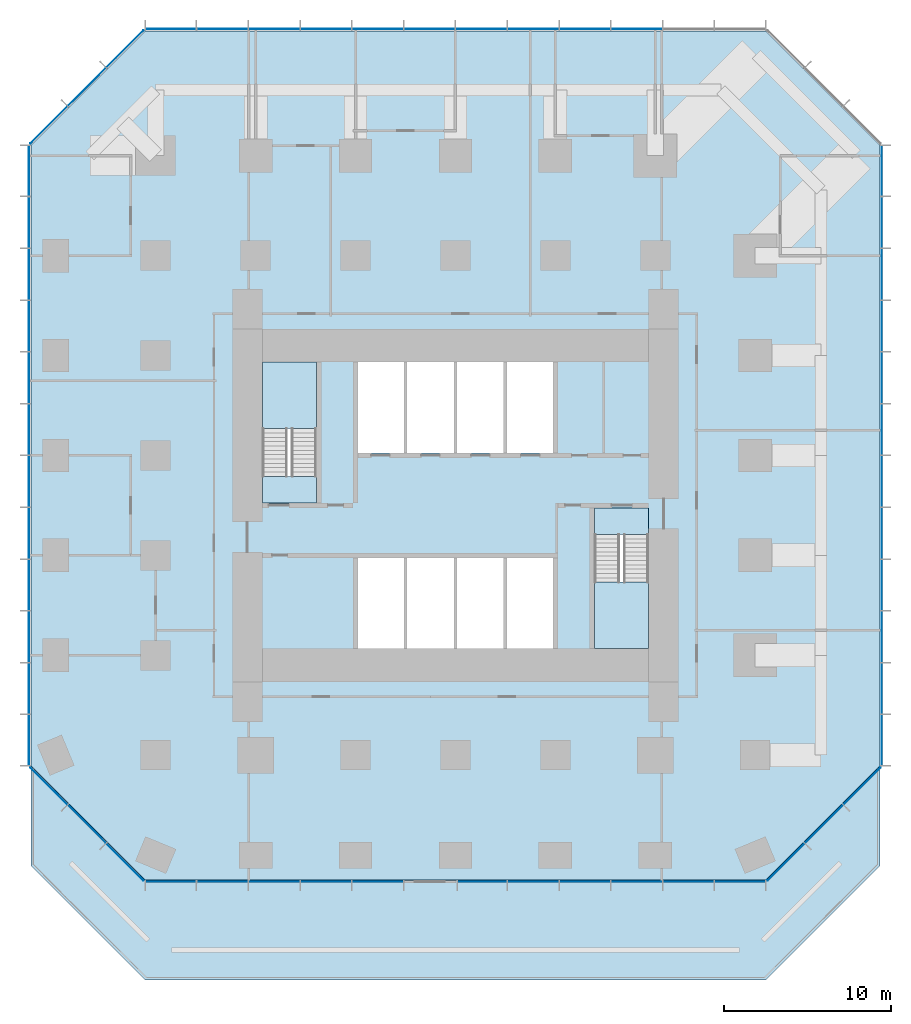
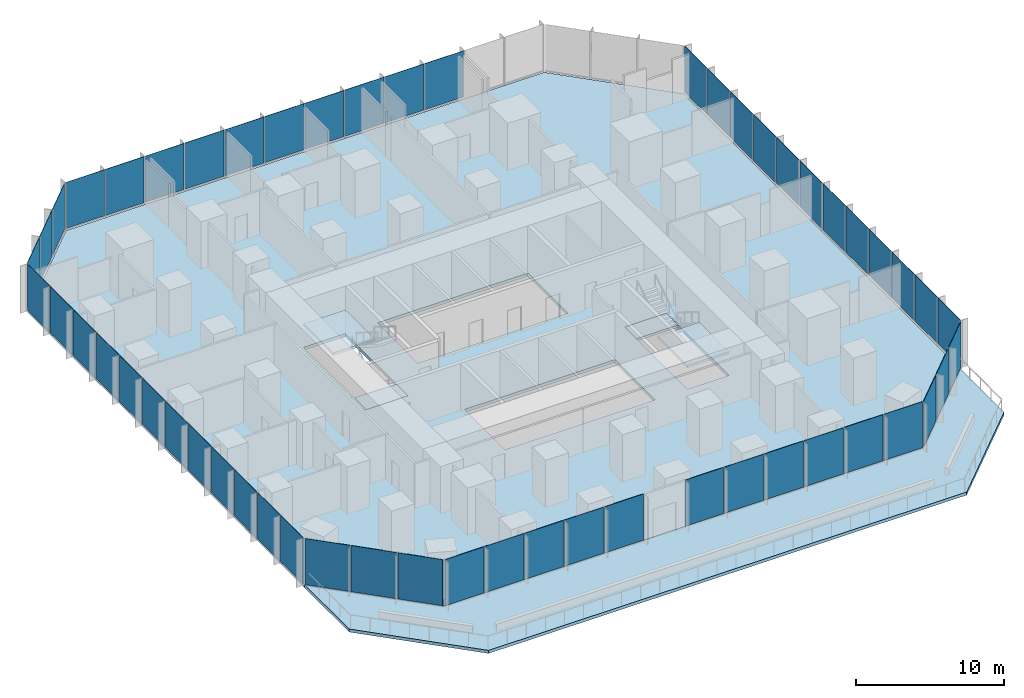
# One storey, part 7 of 12: 54 plates, 6 slabs, 10 elements without a shape of their own.
"""IFC4 building model written with IfcOpenShell, lengths in metres."""

from ifc_helpers import new_model, si_unit, direction, frame, origin, origin_2d, place, context, subcontext, project, spatial, polyline, rectangle, outline, extrude, material, layer, layer_set, type_object, element, aggregate, save


model = new_model("IFC4")

# Units and contexts
model_context = context("Model", 3, precision=1e-05, world=origin(), true_north=direction((0.0, 1.0)))
body_context = subcontext(model_context, "Body", "Model", "MODEL_VIEW")
ifc_project = project(units=[si_unit("LENGTHUNIT", "METRE"), si_unit("AREAUNIT", "SQUARE_METRE"), si_unit("VOLUMEUNIT", "CUBIC_METRE"), si_unit("PLANEANGLEUNIT", "RADIAN"), si_unit("MASSUNIT", "GRAM", prefix="KILO")], contexts=[model_context])

# Site, building, storey
site_placement = place(None, origin())
site = spatial("IfcSite", under=ifc_project, at=site_placement, CompositionType="ELEMENT")
building_placement = place(site_placement, origin())
building = spatial("IfcBuilding", under=site, at=building_placement, Name="Highveld Stack Headquarters", CompositionType="ELEMENT")
storey_placement = place(building_placement, frame((0.0, 0.0, 65.0)))
storey = spatial("IfcBuildingStorey", under=building, at=storey_placement, Name="L15", CompositionType="ELEMENT", Elevation=65.0)

# Curtain wall, plates
ifc_material_1 = material(Name="Aluminium bronze anodised", Category="aluminium")
ifc_layer_1 = layer(ifc_material_1, 0.199951171875)
ifc_layer_set_1 = layer_set([ifc_layer_1], Name="Aluminium bronze anodised")
curtain_wall_type_1 = type_object("IfcCurtainWallType", Name="CW1 TOWER UNITISED CURTAIN WALL", PredefinedType="NOTDEFINED", material=ifc_layer_set_1)
curtain_wall_1_placement = place(storey_placement, origin())
curtain_wall_1 = element("IfcCurtainWall", 1, at=curtain_wall_1_placement, inside=storey, type_object=curtain_wall_type_1, Name="Curtain wall CW1 L15 S-1", PredefinedType="NOTDEFINED")
ifc_material_2 = material(Name="Glass bronze tinted double glazed unit", Category="glass")
ifc_layer_2 = layer(ifc_material_2, 0.028076171875)
ifc_layer_set_2 = layer_set([ifc_layer_2], Name="Glass bronze tinted double glazed unit")
plate_type_1 = type_object("IfcPlateType", Name="CW1 PANEL BRONZE TINTED DOUBLE GLAZED UNIT", PredefinedType="CURTAIN_PANEL", material=ifc_layer_set_2)
plate_1_placement = place(storey_placement, frame((-11.09130859375, -19.60009765625, 0.10009765625), z_axis=(0.0, 0.0, 1.0), x_axis=(1.0, 0.0, 0.0)))
plate_1 = element("IfcPlate", 2, at=plate_1_placement, type_object=plate_type_1, Name="CW1 panel L15 1.1", PredefinedType="CURTAIN_PANEL", context=body_context, shape_type="SweptSolid", body=[
    extrude(rectangle(XDim=3.012939453125, YDim=0.028076171875, at=origin_2d()), origin(), (0.0, 0.0, 1.0), 3.800048828125),
])
plate_2_placement = place(storey_placement, frame((-7.9970703125, -19.60009765625, 0.10009765625), z_axis=(0.0, 0.0, 1.0), x_axis=(1.0, 0.0, 0.0)))
plate_2 = element("IfcPlate", 3, at=plate_2_placement, type_object=plate_type_1, Name="CW1 panel L15 2.1", PredefinedType="CURTAIN_PANEL", context=body_context, shape_type="SweptSolid", body=[
    extrude(rectangle(XDim=3.04541015625, YDim=0.028076171875, at=origin_2d()), origin(), (0.0, 0.0, 1.0), 3.800048828125),
])
plate_3_placement = place(storey_placement, frame((-4.88671875, -19.60009765625, 0.10009765625), z_axis=(0.0, 0.0, 1.0), x_axis=(1.0, 0.0, 0.0)))
plate_3 = element("IfcPlate", 4, at=plate_3_placement, type_object=plate_type_1, Name="CW1 panel L15 3.1", PredefinedType="CURTAIN_PANEL", context=body_context, shape_type="SweptSolid", body=[
    extrude(rectangle(XDim=3.04541015625, YDim=0.028076171875, at=origin_2d()), origin(), (0.0, 0.0, 1.0), 3.800048828125),
])
plate_4_placement = place(storey_placement, frame((-1.776123046875, -19.60009765625, 0.10009765625), z_axis=(0.0, 0.0, 1.0), x_axis=(1.0, 0.0, 0.0)))
plate_4 = element("IfcPlate", 5, at=plate_4_placement, type_object=plate_type_1, Name="CW1 panel L15 4.1", PredefinedType="CURTAIN_PANEL", context=body_context, shape_type="SweptSolid", body=[
    extrude(rectangle(XDim=3.04541015625, YDim=0.028076171875, at=origin_2d()), origin(), (0.0, 0.0, 1.0), 3.800048828125),
])
plate_5_placement = place(storey_placement, frame((1.334228515625, -19.60009765625, 0.10009765625), z_axis=(0.0, 0.0, 1.0), x_axis=(1.0, 0.0, 0.0)))
plate_5 = element("IfcPlate", 6, at=plate_5_placement, type_object=plate_type_1, Name="CW1 panel L15 5.1", PredefinedType="CURTAIN_PANEL", context=body_context, shape_type="SweptSolid", body=[
    extrude(rectangle(XDim=3.04541015625, YDim=0.028076171875, at=origin_2d()), origin(), (0.0, 0.0, 1.0), 3.800048828125),
])
aggregate(curtain_wall_1, [plate_1, plate_2, plate_3, plate_4, plate_5])

curtain_wall_2_placement = place(storey_placement, origin())
curtain_wall_2 = element("IfcCurtainWall", 7, at=curtain_wall_2_placement, inside=storey, type_object=curtain_wall_type_1, Name="Curtain wall CW1 L15 S-2", PredefinedType="NOTDEFINED")
plate_6_placement = place(storey_placement, frame((7.60888671875, -19.60009765625, 0.10009765625), z_axis=(0.0, 0.0, 1.0), x_axis=(1.0, 0.0, 0.0)))
plate_6 = element("IfcPlate", 8, at=plate_6_placement, type_object=plate_type_1, Name="CW1 panel L15 7.1", PredefinedType="CURTAIN_PANEL", context=body_context, shape_type="SweptSolid", body=[
    extrude(rectangle(XDim=2.93798828125, YDim=0.028076171875, at=origin_2d()), origin(), (0.0, 0.0, 1.0), 3.800048828125),
])
plate_7_placement = place(storey_placement, frame((10.665771484375, -19.60009765625, 0.10009765625), z_axis=(0.0, 0.0, 1.0), x_axis=(1.0, 0.0, 0.0)))
plate_7 = element("IfcPlate", 9, at=plate_7_placement, type_object=plate_type_1, Name="CW1 panel L15 8.1", PredefinedType="CURTAIN_PANEL", context=body_context, shape_type="SweptSolid", body=[
    extrude(rectangle(XDim=3.04541015625, YDim=0.028076171875, at=origin_2d()), origin(), (0.0, 0.0, 1.0), 3.800048828125),
])
plate_8_placement = place(storey_placement, frame((13.776123046875, -19.60009765625, 0.10009765625), z_axis=(0.0, 0.0, 1.0), x_axis=(1.0, 0.0, 0.0)))
plate_8 = element("IfcPlate", 10, at=plate_8_placement, type_object=plate_type_1, Name="CW1 panel L15 9.1", PredefinedType="CURTAIN_PANEL", context=body_context, shape_type="SweptSolid", body=[
    extrude(rectangle(XDim=3.04541015625, YDim=0.028076171875, at=origin_2d()), origin(), (0.0, 0.0, 1.0), 3.800048828125),
])
plate_9_placement = place(storey_placement, frame((16.88671875, -19.60009765625, 0.10009765625), z_axis=(0.0, 0.0, 1.0), x_axis=(1.0, 0.0, 0.0)))
plate_9 = element("IfcPlate", 11, at=plate_9_placement, type_object=plate_type_1, Name="CW1 panel L15 10.1", PredefinedType="CURTAIN_PANEL", context=body_context, shape_type="SweptSolid", body=[
    extrude(rectangle(XDim=3.04541015625, YDim=0.028076171875, at=origin_2d()), origin(), (0.0, 0.0, 1.0), 3.800048828125),
])
plate_10_placement = place(storey_placement, frame((19.9970703125, -19.60009765625, 0.10009765625), z_axis=(0.0, 0.0, 1.0), x_axis=(1.0, 0.0, 0.0)))
plate_10 = element("IfcPlate", 12, at=plate_10_placement, type_object=plate_type_1, Name="CW1 panel L15 11.1", PredefinedType="CURTAIN_PANEL", context=body_context, shape_type="SweptSolid", body=[
    extrude(rectangle(XDim=3.04541015625, YDim=0.028076171875, at=origin_2d()), origin(), (0.0, 0.0, 1.0), 3.800048828125),
])
plate_11_placement = place(storey_placement, frame((23.09130859375, -19.60009765625, 0.10009765625), z_axis=(0.0, 0.0, 1.0), x_axis=(1.0, 0.0, 0.0)))
plate_11 = element("IfcPlate", 13, at=plate_11_placement, type_object=plate_type_1, Name="CW1 panel L15 12.1", PredefinedType="CURTAIN_PANEL", context=body_context, shape_type="SweptSolid", body=[
    extrude(rectangle(XDim=3.012939453125, YDim=0.028076171875, at=origin_2d()), origin(), (0.0, 0.0, 1.0), 3.800048828125),
])
aggregate(curtain_wall_2, [plate_6, plate_7, plate_8, plate_9, plate_10, plate_11])

curtain_wall_3_placement = place(storey_placement, origin())
curtain_wall_3 = element("IfcCurtainWall", 14, at=curtain_wall_3_placement, inside=storey, type_object=curtain_wall_type_1, Name="Curtain wall CW1 L15 E", PredefinedType="NOTDEFINED")
plate_12_placement = place(storey_placement, frame((31.60009765625, -11.09130859375, 0.10009765625), z_axis=(0.0, 0.0, 1.0), x_axis=(0.0, 1.0, 0.0)))
plate_12 = element("IfcPlate", 15, at=plate_12_placement, type_object=plate_type_1, Name="CW1 panel L15 1.1", PredefinedType="CURTAIN_PANEL", context=body_context, shape_type="SweptSolid", body=[
    extrude(rectangle(XDim=3.012939453125, YDim=0.028076171875, at=origin_2d()), origin(), (0.0, 0.0, 1.0), 3.800048828125),
])
plate_13_placement = place(storey_placement, frame((31.60009765625, -7.9970703125, 0.10009765625), z_axis=(0.0, 0.0, 1.0), x_axis=(0.0, 1.0, 0.0)))
plate_13 = element("IfcPlate", 16, at=plate_13_placement, type_object=plate_type_1, Name="CW1 panel L15 2.1", PredefinedType="CURTAIN_PANEL", context=body_context, shape_type="SweptSolid", body=[
    extrude(rectangle(XDim=3.04541015625, YDim=0.028076171875, at=origin_2d()), origin(), (0.0, 0.0, 1.0), 3.800048828125),
])
plate_14_placement = place(storey_placement, frame((31.60009765625, -4.88671875, 0.10009765625), z_axis=(0.0, 0.0, 1.0), x_axis=(0.0, 1.0, 0.0)))
plate_14 = element("IfcPlate", 17, at=plate_14_placement, type_object=plate_type_1, Name="CW1 panel L15 3.1", PredefinedType="CURTAIN_PANEL", context=body_context, shape_type="SweptSolid", body=[
    extrude(rectangle(XDim=3.04541015625, YDim=0.028076171875, at=origin_2d()), origin(), (0.0, 0.0, 1.0), 3.800048828125),
])
plate_15_placement = place(storey_placement, frame((31.60009765625, -1.776123046875, 0.10009765625), z_axis=(0.0, 0.0, 1.0), x_axis=(0.0, 1.0, 0.0)))
plate_15 = element("IfcPlate", 18, at=plate_15_placement, type_object=plate_type_1, Name="CW1 panel L15 4.1", PredefinedType="CURTAIN_PANEL", context=body_context, shape_type="SweptSolid", body=[
    extrude(rectangle(XDim=3.04541015625, YDim=0.028076171875, at=origin_2d()), origin(), (0.0, 0.0, 1.0), 3.800048828125),
])
plate_16_placement = place(storey_placement, frame((31.60009765625, 1.334228515625, 0.10009765625), z_axis=(0.0, 0.0, 1.0), x_axis=(0.0, 1.0, 0.0)))
plate_16 = element("IfcPlate", 19, at=plate_16_placement, type_object=plate_type_1, Name="CW1 panel L15 5.1", PredefinedType="CURTAIN_PANEL", context=body_context, shape_type="SweptSolid", body=[
    extrude(rectangle(XDim=3.04541015625, YDim=0.028076171875, at=origin_2d()), origin(), (0.0, 0.0, 1.0), 3.800048828125),
])
plate_17_placement = place(storey_placement, frame((31.60009765625, 4.44482421875, 0.10009765625), z_axis=(0.0, 0.0, 1.0), x_axis=(0.0, 1.0, 0.0)))
plate_17 = element("IfcPlate", 20, at=plate_17_placement, type_object=plate_type_1, Name="CW1 panel L15 6.1", PredefinedType="CURTAIN_PANEL", context=body_context, shape_type="SweptSolid", body=[
    extrude(rectangle(XDim=3.04541015625, YDim=0.028076171875, at=origin_2d()), origin(), (0.0, 0.0, 1.0), 3.800048828125),
])
plate_18_placement = place(storey_placement, frame((31.60009765625, 7.55517578125, 0.10009765625), z_axis=(0.0, 0.0, 1.0), x_axis=(0.0, 1.0, 0.0)))
plate_18 = element("IfcPlate", 21, at=plate_18_placement, type_object=plate_type_1, Name="CW1 panel L15 7.1", PredefinedType="CURTAIN_PANEL", context=body_context, shape_type="SweptSolid", body=[
    extrude(rectangle(XDim=3.04541015625, YDim=0.028076171875, at=origin_2d()), origin(), (0.0, 0.0, 1.0), 3.800048828125),
])
plate_19_placement = place(storey_placement, frame((31.60009765625, 10.665771484375, 0.10009765625), z_axis=(0.0, 0.0, 1.0), x_axis=(0.0, 1.0, 0.0)))
plate_19 = element("IfcPlate", 22, at=plate_19_placement, type_object=plate_type_1, Name="CW1 panel L15 8.1", PredefinedType="CURTAIN_PANEL", context=body_context, shape_type="SweptSolid", body=[
    extrude(rectangle(XDim=3.04541015625, YDim=0.028076171875, at=origin_2d()), origin(), (0.0, 0.0, 1.0), 3.800048828125),
])
plate_20_placement = place(storey_placement, frame((31.60009765625, 13.776123046875, 0.10009765625), z_axis=(0.0, 0.0, 1.0), x_axis=(0.0, 1.0, 0.0)))
plate_20 = element("IfcPlate", 23, at=plate_20_placement, type_object=plate_type_1, Name="CW1 panel L15 9.1", PredefinedType="CURTAIN_PANEL", context=body_context, shape_type="SweptSolid", body=[
    extrude(rectangle(XDim=3.04541015625, YDim=0.028076171875, at=origin_2d()), origin(), (0.0, 0.0, 1.0), 3.800048828125),
])
plate_21_placement = place(storey_placement, frame((31.60009765625, 16.88671875, 0.10009765625), z_axis=(0.0, 0.0, 1.0), x_axis=(0.0, 1.0, 0.0)))
plate_21 = element("IfcPlate", 24, at=plate_21_placement, type_object=plate_type_1, Name="CW1 panel L15 10.1", PredefinedType="CURTAIN_PANEL", context=body_context, shape_type="SweptSolid", body=[
    extrude(rectangle(XDim=3.04541015625, YDim=0.028076171875, at=origin_2d()), origin(), (0.0, 0.0, 1.0), 3.800048828125),
])
plate_22_placement = place(storey_placement, frame((31.60009765625, 19.9970703125, 0.10009765625), z_axis=(0.0, 0.0, 1.0), x_axis=(0.0, 1.0, 0.0)))
plate_22 = element("IfcPlate", 25, at=plate_22_placement, type_object=plate_type_1, Name="CW1 panel L15 11.1", PredefinedType="CURTAIN_PANEL", context=body_context, shape_type="SweptSolid", body=[
    extrude(rectangle(XDim=3.04541015625, YDim=0.028076171875, at=origin_2d()), origin(), (0.0, 0.0, 1.0), 3.800048828125),
])
plate_23_placement = place(storey_placement, frame((31.60009765625, 23.09130859375, 0.10009765625), z_axis=(0.0, 0.0, 1.0), x_axis=(0.0, 1.0, 0.0)))
plate_23 = element("IfcPlate", 26, at=plate_23_placement, type_object=plate_type_1, Name="CW1 panel L15 12.1", PredefinedType="CURTAIN_PANEL", context=body_context, shape_type="SweptSolid", body=[
    extrude(rectangle(XDim=3.012939453125, YDim=0.028076171875, at=origin_2d()), origin(), (0.0, 0.0, 1.0), 3.800048828125),
])
aggregate(curtain_wall_3, [plate_12, plate_13, plate_14, plate_15, plate_16, plate_17, plate_18, plate_19, plate_20, plate_21, plate_22, plate_23])

curtain_wall_4_placement = place(storey_placement, origin())
curtain_wall_4 = element("IfcCurtainWall", 27, at=curtain_wall_4_placement, inside=storey, type_object=curtain_wall_type_1, Name="Curtain wall CW1 L15 N", PredefinedType="NOTDEFINED")
plate_24_placement = place(storey_placement, frame((16.88671875, 31.60009765625, 0.10009765625), z_axis=(0.0, 0.0, 1.0), x_axis=(-1.0, 0.0, 0.0)))
plate_24 = element("IfcPlate", 28, at=plate_24_placement, type_object=plate_type_1, Name="CW1 panel L15 3.1", PredefinedType="CURTAIN_PANEL", context=body_context, shape_type="SweptSolid", body=[
    extrude(rectangle(XDim=3.04541015625, YDim=0.028076171875, at=origin_2d()), origin(), (0.0, 0.0, 1.0), 3.800048828125),
])
plate_25_placement = place(storey_placement, frame((13.776123046875, 31.60009765625, 0.10009765625), z_axis=(0.0, 0.0, 1.0), x_axis=(-1.0, 0.0, 0.0)))
plate_25 = element("IfcPlate", 29, at=plate_25_placement, type_object=plate_type_1, Name="CW1 panel L15 4.1", PredefinedType="CURTAIN_PANEL", context=body_context, shape_type="SweptSolid", body=[
    extrude(rectangle(XDim=3.04541015625, YDim=0.028076171875, at=origin_2d()), origin(), (0.0, 0.0, 1.0), 3.800048828125),
])
plate_26_placement = place(storey_placement, frame((10.665771484375, 31.60009765625, 0.10009765625), z_axis=(0.0, 0.0, 1.0), x_axis=(-1.0, 0.0, 0.0)))
plate_26 = element("IfcPlate", 30, at=plate_26_placement, type_object=plate_type_1, Name="CW1 panel L15 5.1", PredefinedType="CURTAIN_PANEL", context=body_context, shape_type="SweptSolid", body=[
    extrude(rectangle(XDim=3.04541015625, YDim=0.028076171875, at=origin_2d()), origin(), (0.0, 0.0, 1.0), 3.800048828125),
])
plate_27_placement = place(storey_placement, frame((7.55517578125, 31.60009765625, 0.10009765625), z_axis=(0.0, 0.0, 1.0), x_axis=(-1.0, 0.0, 0.0)))
plate_27 = element("IfcPlate", 31, at=plate_27_placement, type_object=plate_type_1, Name="CW1 panel L15 6.1", PredefinedType="CURTAIN_PANEL", context=body_context, shape_type="SweptSolid", body=[
    extrude(rectangle(XDim=3.04541015625, YDim=0.028076171875, at=origin_2d()), origin(), (0.0, 0.0, 1.0), 3.800048828125),
])
plate_28_placement = place(storey_placement, frame((4.44482421875, 31.60009765625, 0.10009765625), z_axis=(0.0, 0.0, 1.0), x_axis=(-1.0, 0.0, 0.0)))
plate_28 = element("IfcPlate", 32, at=plate_28_placement, type_object=plate_type_1, Name="CW1 panel L15 7.1", PredefinedType="CURTAIN_PANEL", context=body_context, shape_type="SweptSolid", body=[
    extrude(rectangle(XDim=3.04541015625, YDim=0.028076171875, at=origin_2d()), origin(), (0.0, 0.0, 1.0), 3.800048828125),
])
plate_29_placement = place(storey_placement, frame((1.334228515625, 31.60009765625, 0.10009765625), z_axis=(0.0, 0.0, 1.0), x_axis=(-1.0, 0.0, 0.0)))
plate_29 = element("IfcPlate", 33, at=plate_29_placement, type_object=plate_type_1, Name="CW1 panel L15 8.1", PredefinedType="CURTAIN_PANEL", context=body_context, shape_type="SweptSolid", body=[
    extrude(rectangle(XDim=3.04541015625, YDim=0.028076171875, at=origin_2d()), origin(), (0.0, 0.0, 1.0), 3.800048828125),
])
plate_30_placement = place(storey_placement, frame((-1.776123046875, 31.60009765625, 0.10009765625), z_axis=(0.0, 0.0, 1.0), x_axis=(-1.0, 0.0, 0.0)))
plate_30 = element("IfcPlate", 34, at=plate_30_placement, type_object=plate_type_1, Name="CW1 panel L15 9.1", PredefinedType="CURTAIN_PANEL", context=body_context, shape_type="SweptSolid", body=[
    extrude(rectangle(XDim=3.04541015625, YDim=0.028076171875, at=origin_2d()), origin(), (0.0, 0.0, 1.0), 3.800048828125),
])
plate_31_placement = place(storey_placement, frame((-4.88671875, 31.60009765625, 0.10009765625), z_axis=(0.0, 0.0, 1.0), x_axis=(-1.0, 0.0, 0.0)))
plate_31 = element("IfcPlate", 35, at=plate_31_placement, type_object=plate_type_1, Name="CW1 panel L15 10.1", PredefinedType="CURTAIN_PANEL", context=body_context, shape_type="SweptSolid", body=[
    extrude(rectangle(XDim=3.04541015625, YDim=0.028076171875, at=origin_2d()), origin(), (0.0, 0.0, 1.0), 3.800048828125),
])
plate_32_placement = place(storey_placement, frame((-7.9970703125, 31.60009765625, 0.10009765625), z_axis=(0.0, 0.0, 1.0), x_axis=(-1.0, 0.0, 0.0)))
plate_32 = element("IfcPlate", 36, at=plate_32_placement, type_object=plate_type_1, Name="CW1 panel L15 11.1", PredefinedType="CURTAIN_PANEL", context=body_context, shape_type="SweptSolid", body=[
    extrude(rectangle(XDim=3.04541015625, YDim=0.028076171875, at=origin_2d()), origin(), (0.0, 0.0, 1.0), 3.800048828125),
])
plate_33_placement = place(storey_placement, frame((-11.09130859375, 31.60009765625, 0.10009765625), z_axis=(0.0, 0.0, 1.0), x_axis=(-1.0, 0.0, 0.0)))
plate_33 = element("IfcPlate", 37, at=plate_33_placement, type_object=plate_type_1, Name="CW1 panel L15 12.1", PredefinedType="CURTAIN_PANEL", context=body_context, shape_type="SweptSolid", body=[
    extrude(rectangle(XDim=3.012939453125, YDim=0.028076171875, at=origin_2d()), origin(), (0.0, 0.0, 1.0), 3.800048828125),
])
aggregate(curtain_wall_4, [plate_24, plate_25, plate_26, plate_27, plate_28, plate_29, plate_30, plate_31, plate_32, plate_33])

curtain_wall_5_placement = place(storey_placement, origin())
curtain_wall_5 = element("IfcCurtainWall", 38, at=curtain_wall_5_placement, inside=storey, type_object=curtain_wall_type_1, Name="Curtain wall CW1 L15 W", PredefinedType="NOTDEFINED")
plate_34_placement = place(storey_placement, frame((-19.60009765625, 23.09130859375, 0.10009765625), z_axis=(0.0, 0.0, 1.0), x_axis=(0.0, -1.0, 0.0)))
plate_34 = element("IfcPlate", 39, at=plate_34_placement, type_object=plate_type_1, Name="CW1 panel L15 1.1", PredefinedType="CURTAIN_PANEL", context=body_context, shape_type="SweptSolid", body=[
    extrude(rectangle(XDim=3.012939453125, YDim=0.028076171875, at=origin_2d()), origin(), (0.0, 0.0, 1.0), 3.800048828125),
])
plate_35_placement = place(storey_placement, frame((-19.60009765625, 19.9970703125, 0.10009765625), z_axis=(0.0, 0.0, 1.0), x_axis=(0.0, -1.0, 0.0)))
plate_35 = element("IfcPlate", 40, at=plate_35_placement, type_object=plate_type_1, Name="CW1 panel L15 2.1", PredefinedType="CURTAIN_PANEL", context=body_context, shape_type="SweptSolid", body=[
    extrude(rectangle(XDim=3.04541015625, YDim=0.028076171875, at=origin_2d()), origin(), (0.0, 0.0, 1.0), 3.800048828125),
])
plate_36_placement = place(storey_placement, frame((-19.60009765625, 16.88671875, 0.10009765625), z_axis=(0.0, 0.0, 1.0), x_axis=(0.0, -1.0, 0.0)))
plate_36 = element("IfcPlate", 41, at=plate_36_placement, type_object=plate_type_1, Name="CW1 panel L15 3.1", PredefinedType="CURTAIN_PANEL", context=body_context, shape_type="SweptSolid", body=[
    extrude(rectangle(XDim=3.04541015625, YDim=0.028076171875, at=origin_2d()), origin(), (0.0, 0.0, 1.0), 3.800048828125),
])
plate_37_placement = place(storey_placement, frame((-19.60009765625, 13.776123046875, 0.10009765625), z_axis=(0.0, 0.0, 1.0), x_axis=(0.0, -1.0, 0.0)))
plate_37 = element("IfcPlate", 42, at=plate_37_placement, type_object=plate_type_1, Name="CW1 panel L15 4.1", PredefinedType="CURTAIN_PANEL", context=body_context, shape_type="SweptSolid", body=[
    extrude(rectangle(XDim=3.04541015625, YDim=0.028076171875, at=origin_2d()), origin(), (0.0, 0.0, 1.0), 3.800048828125),
])
plate_38_placement = place(storey_placement, frame((-19.60009765625, 10.665771484375, 0.10009765625), z_axis=(0.0, 0.0, 1.0), x_axis=(0.0, -1.0, 0.0)))
plate_38 = element("IfcPlate", 43, at=plate_38_placement, type_object=plate_type_1, Name="CW1 panel L15 5.1", PredefinedType="CURTAIN_PANEL", context=body_context, shape_type="SweptSolid", body=[
    extrude(rectangle(XDim=3.04541015625, YDim=0.028076171875, at=origin_2d()), origin(), (0.0, 0.0, 1.0), 3.800048828125),
])
plate_39_placement = place(storey_placement, frame((-19.60009765625, 7.55517578125, 0.10009765625), z_axis=(0.0, 0.0, 1.0), x_axis=(0.0, -1.0, 0.0)))
plate_39 = element("IfcPlate", 44, at=plate_39_placement, type_object=plate_type_1, Name="CW1 panel L15 6.1", PredefinedType="CURTAIN_PANEL", context=body_context, shape_type="SweptSolid", body=[
    extrude(rectangle(XDim=3.04541015625, YDim=0.028076171875, at=origin_2d()), origin(), (0.0, 0.0, 1.0), 3.800048828125),
])
plate_40_placement = place(storey_placement, frame((-19.60009765625, 4.44482421875, 0.10009765625), z_axis=(0.0, 0.0, 1.0), x_axis=(0.0, -1.0, 0.0)))
plate_40 = element("IfcPlate", 45, at=plate_40_placement, type_object=plate_type_1, Name="CW1 panel L15 7.1", PredefinedType="CURTAIN_PANEL", context=body_context, shape_type="SweptSolid", body=[
    extrude(rectangle(XDim=3.04541015625, YDim=0.028076171875, at=origin_2d()), origin(), (0.0, 0.0, 1.0), 3.800048828125),
])
plate_41_placement = place(storey_placement, frame((-19.60009765625, 1.334228515625, 0.10009765625), z_axis=(0.0, 0.0, 1.0), x_axis=(0.0, -1.0, 0.0)))
plate_41 = element("IfcPlate", 46, at=plate_41_placement, type_object=plate_type_1, Name="CW1 panel L15 8.1", PredefinedType="CURTAIN_PANEL", context=body_context, shape_type="SweptSolid", body=[
    extrude(rectangle(XDim=3.04541015625, YDim=0.028076171875, at=origin_2d()), origin(), (0.0, 0.0, 1.0), 3.800048828125),
])
plate_42_placement = place(storey_placement, frame((-19.60009765625, -1.776123046875, 0.10009765625), z_axis=(0.0, 0.0, 1.0), x_axis=(0.0, -1.0, 0.0)))
plate_42 = element("IfcPlate", 47, at=plate_42_placement, type_object=plate_type_1, Name="CW1 panel L15 9.1", PredefinedType="CURTAIN_PANEL", context=body_context, shape_type="SweptSolid", body=[
    extrude(rectangle(XDim=3.04541015625, YDim=0.028076171875, at=origin_2d()), origin(), (0.0, 0.0, 1.0), 3.800048828125),
])
plate_43_placement = place(storey_placement, frame((-19.60009765625, -4.88671875, 0.10009765625), z_axis=(0.0, 0.0, 1.0), x_axis=(0.0, -1.0, 0.0)))
plate_43 = element("IfcPlate", 48, at=plate_43_placement, type_object=plate_type_1, Name="CW1 panel L15 10.1", PredefinedType="CURTAIN_PANEL", context=body_context, shape_type="SweptSolid", body=[
    extrude(rectangle(XDim=3.04541015625, YDim=0.028076171875, at=origin_2d()), origin(), (0.0, 0.0, 1.0), 3.800048828125),
])
plate_44_placement = place(storey_placement, frame((-19.60009765625, -7.9970703125, 0.10009765625), z_axis=(0.0, 0.0, 1.0), x_axis=(0.0, -1.0, 0.0)))
plate_44 = element("IfcPlate", 49, at=plate_44_placement, type_object=plate_type_1, Name="CW1 panel L15 11.1", PredefinedType="CURTAIN_PANEL", context=body_context, shape_type="SweptSolid", body=[
    extrude(rectangle(XDim=3.04541015625, YDim=0.028076171875, at=origin_2d()), origin(), (0.0, 0.0, 1.0), 3.800048828125),
])
plate_45_placement = place(storey_placement, frame((-19.60009765625, -11.09130859375, 0.10009765625), z_axis=(0.0, 0.0, 1.0), x_axis=(0.0, -1.0, 0.0)))
plate_45 = element("IfcPlate", 50, at=plate_45_placement, type_object=plate_type_1, Name="CW1 panel L15 12.1", PredefinedType="CURTAIN_PANEL", context=body_context, shape_type="SweptSolid", body=[
    extrude(rectangle(XDim=3.012939453125, YDim=0.028076171875, at=origin_2d()), origin(), (0.0, 0.0, 1.0), 3.800048828125),
])
aggregate(curtain_wall_5, [plate_34, plate_35, plate_36, plate_37, plate_38, plate_39, plate_40, plate_41, plate_42, plate_43, plate_44, plate_45])

ifc_material_3 = material(Name="Aluminium bronze anodised", Category="aluminium")
ifc_layer_3 = layer(ifc_material_3, 0.199951171875)
ifc_layer_set_3 = layer_set([ifc_layer_3], Name="Aluminium bronze anodised")
curtain_wall_type_2 = type_object("IfcCurtainWallType", Name="CW2 TOWER CHAMFER UNITISED CURTAIN WALL", PredefinedType="NOTDEFINED", material=ifc_layer_set_3)
curtain_wall_6_placement = place(storey_placement, origin())
curtain_wall_6 = element("IfcCurtainWall", 51, at=curtain_wall_6_placement, inside=storey, type_object=curtain_wall_type_2, Name="Curtain wall CW2 L15 SE", PredefinedType="NOTDEFINED")
ifc_material_4 = material(Name="Glass bronze tinted double glazed unit", Category="glass")
ifc_layer_4 = layer(ifc_material_4, 0.028076171875)
ifc_layer_set_4 = layer_set([ifc_layer_4], Name="Glass bronze tinted double glazed unit")
plate_type_2 = type_object("IfcPlateType", Name="CW2 PANEL BRONZE TINTED DOUBLE GLAZED UNIT", PredefinedType="CURTAIN_PANEL", material=ifc_layer_set_4)
plate_46_placement = place(storey_placement, frame((25.8427734375, -18.419921875, 0.10009765625), z_axis=(0.0, 0.0, 1.0), x_axis=(0.707106781187, 0.707106781187, 0.0)))
plate_46 = element("IfcPlate", 52, at=plate_46_placement, type_object=plate_type_2, Name="CW2 panel L15 1.1", PredefinedType="CURTAIN_PANEL", context=body_context, shape_type="SweptSolid", body=[
    extrude(rectangle(XDim=3.1376953125, YDim=0.028076171875, at=origin_2d()), origin(), (0.0, 0.0, 1.0), 3.800048828125),
])
plate_47_placement = place(storey_placement, frame((28.13134765625, -16.13134765625, 0.10009765625), z_axis=(0.0, 0.0, 1.0), x_axis=(0.707106781187, 0.707106781187, 0.0)))
plate_47 = element("IfcPlate", 53, at=plate_47_placement, type_object=plate_type_2, Name="CW2 panel L15 2.1", PredefinedType="CURTAIN_PANEL", context=body_context, shape_type="SweptSolid", body=[
    extrude(rectangle(XDim=3.205322265625, YDim=0.028076171875, at=origin_2d()), origin(), (0.0, 0.0, 1.0), 3.800048828125),
])
plate_48_placement = place(storey_placement, frame((30.419921875, -13.8427734375, 0.10009765625), z_axis=(0.0, 0.0, 1.0), x_axis=(0.707106781187, 0.707106781187, 0.0)))
plate_48 = element("IfcPlate", 54, at=plate_48_placement, type_object=plate_type_2, Name="CW2 panel L15 3.1", PredefinedType="CURTAIN_PANEL", context=body_context, shape_type="SweptSolid", body=[
    extrude(rectangle(XDim=3.1376953125, YDim=0.028076171875, at=origin_2d()), origin(), (0.0, 0.0, 1.0), 3.800048828125),
])
aggregate(curtain_wall_6, [plate_46, plate_47, plate_48])

curtain_wall_7_placement = place(storey_placement, origin())
curtain_wall_7 = element("IfcCurtainWall", 55, at=curtain_wall_7_placement, inside=storey, type_object=curtain_wall_type_2, Name="Curtain wall CW2 L15 NW", PredefinedType="NOTDEFINED")
plate_49_placement = place(storey_placement, frame((-13.8427734375, 30.419921875, 0.10009765625), z_axis=(0.0, 0.0, 1.0), x_axis=(-0.707106781187, -0.707106781187, 0.0)))
plate_49 = element("IfcPlate", 56, at=plate_49_placement, type_object=plate_type_2, Name="CW2 panel L15 1.1", PredefinedType="CURTAIN_PANEL", context=body_context, shape_type="SweptSolid", body=[
    extrude(rectangle(XDim=3.1376953125, YDim=0.028076171875, at=origin_2d()), origin(), (0.0, 0.0, 1.0), 3.800048828125),
])
plate_50_placement = place(storey_placement, frame((-16.13134765625, 28.13134765625, 0.10009765625), z_axis=(0.0, 0.0, 1.0), x_axis=(-0.707106781187, -0.707106781187, 0.0)))
plate_50 = element("IfcPlate", 57, at=plate_50_placement, type_object=plate_type_2, Name="CW2 panel L15 2.1", PredefinedType="CURTAIN_PANEL", context=body_context, shape_type="SweptSolid", body=[
    extrude(rectangle(XDim=3.205322265625, YDim=0.028076171875, at=origin_2d()), origin(), (0.0, 0.0, 1.0), 3.800048828125),
])
plate_51_placement = place(storey_placement, frame((-18.419921875, 25.8427734375, 0.10009765625), z_axis=(0.0, 0.0, 1.0), x_axis=(-0.707106781187, -0.707106781187, 0.0)))
plate_51 = element("IfcPlate", 58, at=plate_51_placement, type_object=plate_type_2, Name="CW2 panel L15 3.1", PredefinedType="CURTAIN_PANEL", context=body_context, shape_type="SweptSolid", body=[
    extrude(rectangle(XDim=3.1376953125, YDim=0.028076171875, at=origin_2d()), origin(), (0.0, 0.0, 1.0), 3.800048828125),
])
aggregate(curtain_wall_7, [plate_49, plate_50, plate_51])

curtain_wall_8_placement = place(storey_placement, origin())
curtain_wall_8 = element("IfcCurtainWall", 59, at=curtain_wall_8_placement, inside=storey, type_object=curtain_wall_type_2, Name="Curtain wall CW2 L15 SW", PredefinedType="NOTDEFINED")
plate_52_placement = place(storey_placement, frame((-18.419921875, -13.8427734375, 0.10009765625), z_axis=(0.0, 0.0, 1.0), x_axis=(0.707106781187, -0.707106781187, 0.0)))
plate_52 = element("IfcPlate", 60, at=plate_52_placement, type_object=plate_type_2, Name="CW2 panel L15 1.1", PredefinedType="CURTAIN_PANEL", context=body_context, shape_type="SweptSolid", body=[
    extrude(rectangle(XDim=3.1376953125, YDim=0.028076171875, at=origin_2d()), origin(), (0.0, 0.0, 1.0), 3.800048828125),
])
plate_53_placement = place(storey_placement, frame((-16.13134765625, -16.13134765625, 0.10009765625), z_axis=(0.0, 0.0, 1.0), x_axis=(0.707106781187, -0.707106781187, 0.0)))
plate_53 = element("IfcPlate", 61, at=plate_53_placement, type_object=plate_type_2, Name="CW2 panel L15 2.1", PredefinedType="CURTAIN_PANEL", context=body_context, shape_type="SweptSolid", body=[
    extrude(rectangle(XDim=3.205322265625, YDim=0.028076171875, at=origin_2d()), origin(), (0.0, 0.0, 1.0), 3.800048828125),
])
plate_54_placement = place(storey_placement, frame((-13.8427734375, -18.419921875, 0.10009765625), z_axis=(0.0, 0.0, 1.0), x_axis=(0.707106781187, -0.707106781187, 0.0)))
plate_54 = element("IfcPlate", 62, at=plate_54_placement, type_object=plate_type_2, Name="CW2 panel L15 3.1", PredefinedType="CURTAIN_PANEL", context=body_context, shape_type="SweptSolid", body=[
    extrude(rectangle(XDim=3.1376953125, YDim=0.028076171875, at=origin_2d()), origin(), (0.0, 0.0, 1.0), 3.800048828125),
])
aggregate(curtain_wall_8, [plate_52, plate_53, plate_54])

# Slab
ifc_material_5 = material(Name="Concrete C60/75", Category="concrete")
ifc_layer_5 = layer(ifc_material_5, 0.25)
ifc_layer_set_5 = layer_set([ifc_layer_5], Name="Concrete C60/75")
slab_type_1 = type_object("IfcSlabType", Name="PT FLAT SLAB 250", PredefinedType="FLOOR", material=ifc_layer_set_5)
slab_1_placement = place(storey_placement, frame((0.0, 0.0, -0.25)))
element("IfcSlab", 63, at=slab_1_placement, inside=storey, type_object=slab_type_1, Name="Floor slab L15", PredefinedType="FLOOR", context=body_context, shape_type="SweptSolid", body=[
    extrude(outline(polyline([(-12.621337890625, -19.5), (24.621337890625, -19.5), (31.5, -12.621337890625), (31.5, 24.621337890625), (24.621337890625, 31.5), (-12.621337890625, 31.5), (-19.5, 24.621337890625), (-19.5, -12.621337890625), (-12.621337890625, -19.5)]), holes=[polyline([(0.14990234375, 6.14990234375), (11.85009765625, 6.14990234375), (11.85009765625, 11.60009765625), (0.14990234375, 11.60009765625), (0.14990234375, 6.14990234375)]), polyline([(0.14990234375, -5.60009765625), (11.85009765625, -5.60009765625), (11.85009765625, -0.14990234375), (0.14990234375, -0.14990234375), (0.14990234375, -5.60009765625)]), polyline([(-5.60009765625, 3.14990234375), (-2.35009765625, 3.14990234375), (-2.35009765625, 11.60009765625), (-5.60009765625, 11.60009765625), (-5.60009765625, 3.14990234375)]), polyline([(14.35009765625, -5.60009765625), (17.60009765625, -5.60009765625), (17.60009765625, 2.85009765625), (14.35009765625, 2.85009765625), (14.35009765625, -5.60009765625)])]), origin(), (0.0, 0.0, 1.0), 0.25),
])

# Stair, slabs
ifc_material_6 = material(Name="Concrete C40/50, precast", Category="concrete")
stair_type_1 = type_object("IfcStairType", Name="STAIR S1 HALF TURN 1500", PredefinedType="HALF_TURN_STAIR", material=ifc_material_6)
stair_1_placement = place(storey_placement, origin())
stair_1 = element("IfcStair", 64, at=stair_1_placement, inside=storey, type_object=stair_type_1, Name="Stair S1 L15", PredefinedType="HALF_TURN_STAIR")
ifc_material_7 = material(Name="Concrete C40/50, precast", Category="concrete")
ifc_layer_6 = layer(ifc_material_7, 0.199951171875)
ifc_layer_set_6 = layer_set([ifc_layer_6], Name="Concrete C40/50, precast")
slab_type_2 = type_object("IfcSlabType", Name="STAIR LANDING 200", PredefinedType="LANDING", material=ifc_layer_set_6)
slab_2_placement = place(storey_placement, frame((0.0, 0.0, 1.75)))
slab_2 = element("IfcSlab", 65, at=slab_2_placement, type_object=slab_type_2, Name="S1 landing 1", PredefinedType="LANDING", context=body_context, shape_type="SweptSolid", body=[
    extrude(outline(polyline([(-5.60009765625, 7.610107421875), (-2.35009765625, 7.610107421875), (-2.35009765625, 11.60009765625), (-5.60009765625, 11.60009765625), (-5.60009765625, 7.610107421875)])), origin(), (0.0, 0.0, 1.0), 0.199951171875),
])
slab_3_placement = place(storey_placement, frame((0.0, 0.0, -0.199951171875)))
slab_3 = element("IfcSlab", 66, at=slab_3_placement, type_object=slab_type_2, Name="S1 landing 2", PredefinedType="LANDING", context=body_context, shape_type="SweptSolid", body=[
    extrude(outline(polyline([(-5.60009765625, 3.14990234375), (-2.35009765625, 3.14990234375), (-2.35009765625, 4.75), (-5.60009765625, 4.75), (-5.60009765625, 3.14990234375)])), origin(), (0.0, 0.0, 1.0), 0.199951171875),
])
aggregate(stair_1, [slab_2, slab_3])

ifc_material_8 = material(Name="Concrete C40/50, precast", Category="concrete")
stair_type_2 = type_object("IfcStairType", Name="STAIR S2 HALF TURN 1500", PredefinedType="HALF_TURN_STAIR", material=ifc_material_8)
stair_2_placement = place(storey_placement, origin())
stair_2 = element("IfcStair", 67, at=stair_2_placement, inside=storey, type_object=stair_type_2, Name="Stair S2 L15", PredefinedType="HALF_TURN_STAIR")
slab_4_placement = place(storey_placement, frame((0.0, 0.0, 1.75)))
slab_4 = element("IfcSlab", 68, at=slab_4_placement, type_object=slab_type_2, Name="S2 landing 1", PredefinedType="LANDING", context=body_context, shape_type="SweptSolid", body=[
    extrude(outline(polyline([(14.35009765625, -5.60009765625), (17.60009765625, -5.60009765625), (17.60009765625, -1.610107421875), (14.35009765625, -1.610107421875), (14.35009765625, -5.60009765625)])), origin(), (0.0, 0.0, 1.0), 0.199951171875),
])
slab_5_placement = place(storey_placement, frame((0.0, 0.0, -0.199951171875)))
slab_5 = element("IfcSlab", 69, at=slab_5_placement, type_object=slab_type_2, Name="S2 landing 2", PredefinedType="LANDING", context=body_context, shape_type="SweptSolid", body=[
    extrude(outline(polyline([(14.35009765625, 1.25), (17.60009765625, 1.25), (17.60009765625, 2.85009765625), (14.35009765625, 2.85009765625), (14.35009765625, 1.25)])), origin(), (0.0, 0.0, 1.0), 0.199951171875),
])
aggregate(stair_2, [slab_4, slab_5])

# Slab
ifc_material_9 = material(Name="Concrete C60/75", Category="concrete")
ifc_layer_7 = layer(ifc_material_9, 0.25)
ifc_layer_set_7 = layer_set([ifc_layer_7], Name="Concrete C60/75")
slab_type_3 = type_object("IfcSlabType", Name="TERRACE SLAB 250", PredefinedType="FLOOR", material=ifc_layer_set_7)
slab_6_placement = place(storey_placement, frame((0.0, 0.0, -0.25)))
element("IfcSlab", 70, at=slab_6_placement, inside=storey, type_object=slab_type_3, Name="Planted terrace L15", PredefinedType="FLOOR", context=body_context, shape_type="SweptSolid", body=[
    extrude(outline(polyline([(31.5, -18.621337890625), (24.621337890625, -25.5), (-12.621337890625, -25.5), (-19.5, -18.621337890625), (-19.5, -12.621337890625), (-12.621337890625, -19.5), (24.621337890625, -19.5), (31.5, -12.621337890625), (31.5, -18.621337890625)])), origin(), (0.0, 0.0, 1.0), 0.25),
])

save(model, "model.ifc")
